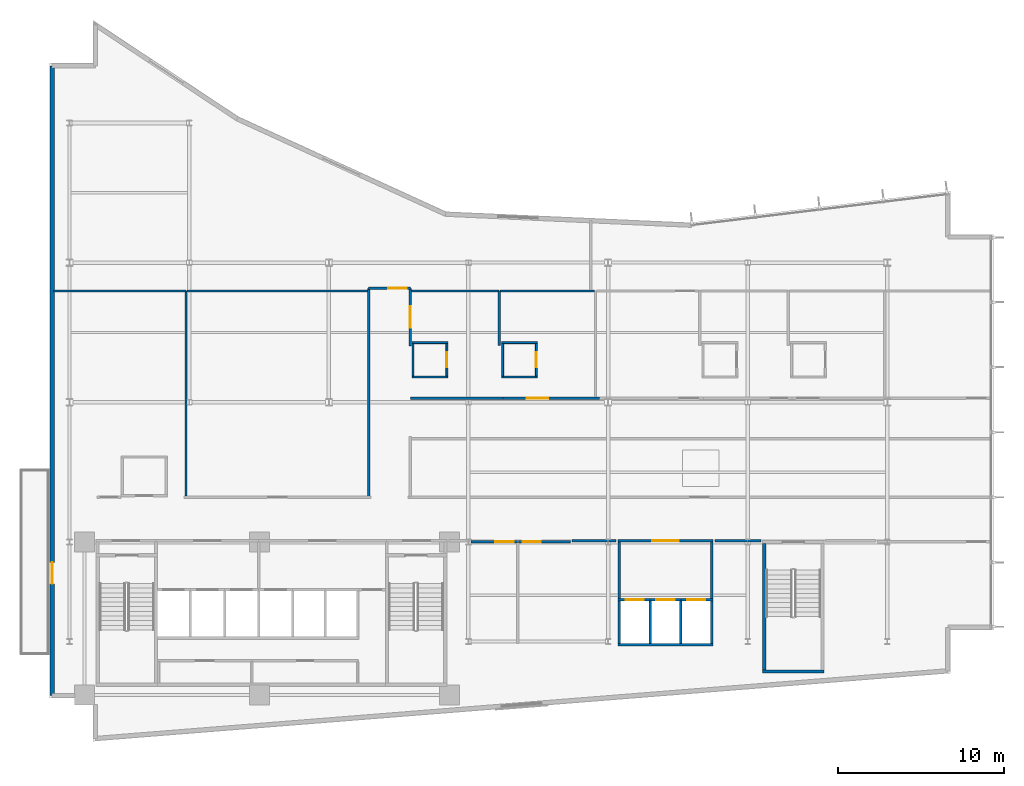
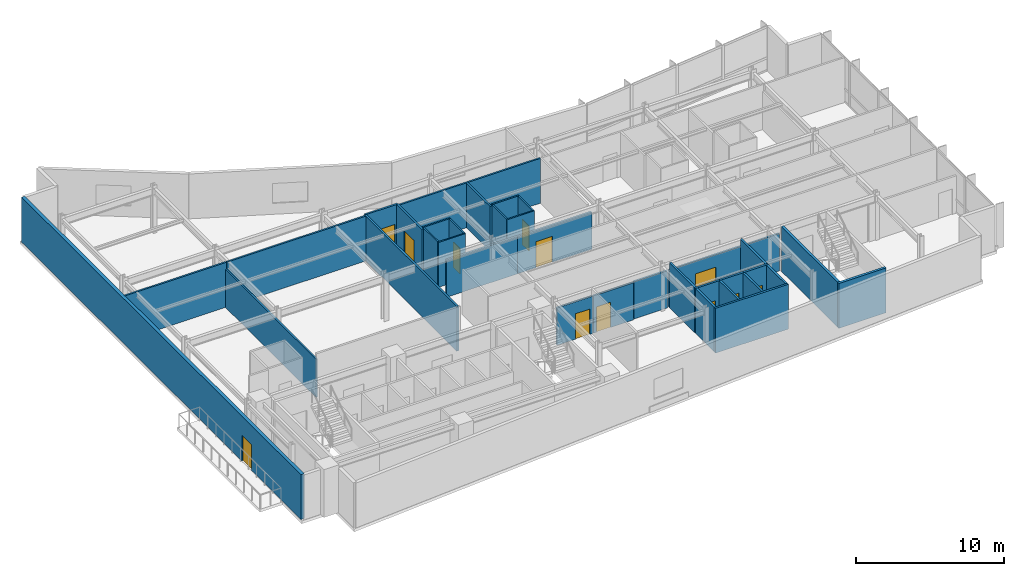
# One storey, part 11 of 18: 37 walls, 12 doors, 12 openings.
"""IFC4 building model written with IfcOpenShell, lengths in metres."""

from ifc_helpers import new_model, si_unit, direction, frame, frame_2d, origin, place, context, subcontext, project, spatial, rectangle, extrude, material, layer, layer_set, type_object, element, fill, save


model = new_model("IFC4")

# Units and contexts
model_context = context("Model", 3, precision=1e-05, world=origin(), true_north=direction((0.0, 1.0)))
body_context = subcontext(model_context, "Body", "Model", "MODEL_VIEW")
ifc_project = project(units=[si_unit("LENGTHUNIT", "METRE"), si_unit("AREAUNIT", "SQUARE_METRE"), si_unit("VOLUMEUNIT", "CUBIC_METRE"), si_unit("PLANEANGLEUNIT", "RADIAN"), si_unit("MASSUNIT", "GRAM", prefix="KILO")], contexts=[model_context])

# Site, building, storey
site_placement = place(None, origin())
site = spatial("IfcSite", under=ifc_project, at=site_placement, CompositionType="ELEMENT")
building_placement = place(site_placement, origin())
building = spatial("IfcBuilding", under=site, at=building_placement, Name="Varnakote Quay Hospital", CompositionType="ELEMENT")
storey_placement = place(building_placement, frame((0.0, 0.0, 138.89990234375)))
storey = spatial("IfcBuildingStorey", under=building, at=storey_placement, Name="L34", CompositionType="ELEMENT", Elevation=138.89990234375)

# Walls
ifc_material_1 = material(Name="Fire-rated acoustic gypsum stud wall", Category="gypsum")
ifc_layer_1 = layer(ifc_material_1, 0.159912109375)
ifc_layer_set_1 = layer_set([ifc_layer_1], Name="Fire-rated acoustic gypsum stud wall")
wall_type_1 = type_object("IfcWallType", Name="WL-COMP-160", PredefinedType="PARTITIONING", material=ifc_layer_set_1)
for number, where, z_axis, x_axis, name in (
    (1, (34.27001953125, 8.610107421875, 0.0), (0.0, 0.0, 1.0), (0.0, 1.0, 0.0), "L34 Mid-Rise Lift Lobby West Wall"),
    (2, (39.830078125, 8.610107421875, 0.0), (0.0, 0.0, 1.0), (0.0, 1.0, 0.0), "L34 Mid-Rise Lift Lobby East Wall"),
):
    element("IfcWall", number, at=place(storey_placement, frame(where, z_axis=z_axis, x_axis=x_axis)), inside=storey, type_object=wall_type_1, Name=name, PredefinedType="PARTITIONING", context=body_context, shape_type="SweptSolid", body=[
        extrude(rectangle(XDim=3.389892578125, YDim=0.159912109375, at=frame_2d((1.69482421875, 0.0))), origin(), (0.0, 0.0, 1.0), 3.710205078125),
    ])

# Wall, opening, door
wall_1_placement = place(storey_placement, frame((34.18994140625, 12.080078125, 0.0), z_axis=(0.0, 0.0, 1.0), x_axis=(1.0, 0.0, 0.0)))
wall_1 = element("IfcWall", 3, at=wall_1_placement, inside=storey, type_object=wall_type_1, Name="L34 Mid-Rise Lift Lobby North Wall", PredefinedType="PARTITIONING", context=body_context, shape_type="SweptSolid", body=[
    extrude(rectangle(XDim=5.719970703125, YDim=0.159912109375, at=frame_2d((2.85986328125, 0.0))), origin(), (0.0, 0.0, 1.0), 3.0830078125),
])
opening_1_placement = place(wall_1_placement, frame((2.06005859375, 0.0, 0.0)))
opening_1 = element("IfcOpeningElement", 4, at=opening_1_placement, cuts=wall_1, Name="Opening D-PML-L34", PredefinedType="OPENING", context=body_context, shape_type="SweptSolid", body=[
    extrude(rectangle(XDim=1.60009765625, YDim=2.050048828125, at=frame_2d((0.800048828125, 1.02490234375))), frame((0.0, 0.08984375, 0.0), z_axis=(0.0, -1.0, 0.0), x_axis=(1.0, 0.0, 0.0)), (0.0, 0.0, 1.0), 0.179931640625),
])
ifc_material_2 = material(Name="Fire-rated double smoke lobby door")
door_type_1 = type_object("IfcDoorType", Name="DR-LOBBY-FD60S-1600x2150", OperationType="NOTDEFINED", PredefinedType="DOOR", material=ifc_material_2)
door_1_placement = place(opening_1_placement, origin())
door_1 = element("IfcDoor", 5, at=door_1_placement, inside=storey, type_object=door_type_1, Name="L34 Mid-Rise Passenger Concourse Vestibule Door", OperationType="DOUBLE_DOOR_SINGLE_SWING", OverallHeight=2.050048828125, OverallWidth=1.60009765625, PredefinedType="DOOR", context=body_context, shape_type="SweptSolid", body=[
    extrude(rectangle(XDim=1.60009765625, YDim=2.050048828125, at=frame_2d((0.800048828125, 1.02490234375))), frame((0.0, 0.02490234375, 0.0), z_axis=(0.0, -1.0, 0.0), x_axis=(1.0, 0.0, 0.0)), (0.0, 0.0, 1.0), 0.050048828125),
])
fill(opening_1, door_1)

# Walls
wall_2_placement = place(storey_placement, frame((31.439208984375, 12.080078125, 0.0), z_axis=(0.0, 0.0, 1.0), x_axis=(1.0, 0.0, 0.0)))
element("IfcWall", 6, at=wall_2_placement, inside=storey, type_object=wall_type_1, Name="L34 Corridor South Gap Wall", PredefinedType="PARTITIONING", context=body_context, shape_type="SweptSolid", body=[
    extrude(rectangle(XDim=2.630859375, YDim=0.159912109375, at=frame_2d((1.3154296875, 0.0))), origin(), (0.0, 0.0, 1.0), 3.0830078125),
])
wall_3_placement = place(storey_placement, frame((40.030029296875, 12.080078125, 0.0), z_axis=(0.0, 0.0, 1.0), x_axis=(1.0, 0.0, 0.0)))
element("IfcWall", 7, at=wall_3_placement, inside=storey, type_object=wall_type_1, Name="L34 Corridor South Gap Wall", PredefinedType="PARTITIONING", context=body_context, shape_type="SweptSolid", body=[
    extrude(rectangle(XDim=2.78076171875, YDim=0.159912109375, at=frame_2d((1.390380859375, 0.0))), origin(), (0.0, 0.0, 1.0), 3.0830078125),
])
ifc_material_3 = material(Name="Moisture-resistant bathroom partition", Category="gypsum")
ifc_layer_2 = layer(ifc_material_3, 0.114990234375)
ifc_layer_set_2 = layer_set([ifc_layer_2], Name="Moisture-resistant bathroom partition")
wall_type_2 = type_object("IfcWallType", Name="WL-ENS-115", PredefinedType="PARTITIONING", material=ifc_layer_set_2)
for number, where, z_axis, x_axis, name in (
    (8, (21.804931640625, 21.922607421875, 0.0), (0.0, 0.0, 1.0), (1.0, 0.0, 0.0), "L34 Inpatient En-Suite Bathroom 01 S Wall"),
    (9, (21.804931640625, 23.987548828125, 0.0), (0.0, 0.0, 1.0), (1.0, 0.0, 0.0), "L34 Inpatient En-Suite Bathroom 01 N Wall"),
):
    element("IfcWall", number, at=place(storey_placement, frame(where, z_axis=z_axis, x_axis=x_axis)), inside=storey, type_object=wall_type_2, Name=name, PredefinedType="PARTITIONING", context=body_context, shape_type="SweptSolid", body=[
        extrude(rectangle(XDim=2.150146484375, YDim=0.114990234375, at=frame_2d((1.0751953125, 0.0))), origin(), (0.0, 0.0, 1.0), 3.710205078125),
    ])
wall_4_placement = place(storey_placement, frame((21.862548828125, 21.97998046875, 0.0), z_axis=(0.0, 0.0, 1.0), x_axis=(0.0, 1.0, 0.0)))
element("IfcWall", 10, at=wall_4_placement, inside=storey, type_object=wall_type_2, Name="L34 Inpatient En-Suite Bathroom 01 W Wall", PredefinedType="PARTITIONING", context=body_context, shape_type="SweptSolid", body=[
    extrude(rectangle(XDim=1.949951171875, YDim=0.114990234375, at=frame_2d((0.97509765625, 0.0))), origin(), (0.0, 0.0, 1.0), 3.710205078125),
])

# Wall, opening, door
wall_5_placement = place(storey_placement, frame((23.8974609375, 21.97998046875, 0.0), z_axis=(0.0, 0.0, 1.0), x_axis=(0.0, 1.0, 0.0)))
wall_5 = element("IfcWall", 11, at=wall_5_placement, inside=storey, type_object=wall_type_2, Name="L34 Inpatient En-Suite Bathroom 01 E Wall", PredefinedType="PARTITIONING", context=body_context, shape_type="SweptSolid", body=[
    extrude(rectangle(XDim=1.949951171875, YDim=0.114990234375, at=frame_2d((0.97509765625, 0.0))), origin(), (0.0, 0.0, 1.0), 3.710205078125),
])
opening_2_placement = place(wall_5_placement, frame((0.514892578125, 0.0, 0.0)))
opening_2 = element("IfcOpeningElement", 12, at=opening_2_placement, cuts=wall_5, Name="Opening D-L34-ENS01", PredefinedType="OPENING", context=body_context, shape_type="SweptSolid", body=[
    extrude(rectangle(XDim=0.919921875, YDim=2.10009765625, at=frame_2d((0.4599609375, 1.050048828125))), frame((0.0, 0.0673828125, 0.0), z_axis=(0.0, -1.0, 0.0), x_axis=(1.0, 0.0, 0.0)), (0.0, 0.0, 1.0), 0.135009765625),
])
ifc_material_4 = material(Name="Moisture-sealed en-suite bathroom door")
door_type_2 = type_object("IfcDoorType", Name="DR-ENS-920x2100", OperationType="NOTDEFINED", PredefinedType="DOOR", material=ifc_material_4)
door_2_placement = place(opening_2_placement, origin())
door_2 = element("IfcDoor", 13, at=door_2_placement, inside=storey, type_object=door_type_2, Name="L34 Inpatient En-Suite Bathroom 01 Door", OperationType="SINGLE_SWING_RIGHT", OverallHeight=2.10009765625, OverallWidth=0.919921875, PredefinedType="DOOR", context=body_context, shape_type="SweptSolid", body=[
    extrude(rectangle(XDim=0.919921875, YDim=2.10009765625, at=frame_2d((0.4599609375, 1.050048828125))), frame((0.0, 0.02490234375, 0.0), z_axis=(0.0, -1.0, 0.0), x_axis=(1.0, 0.0, 0.0)), (0.0, 0.0, 1.0), 0.050048828125),
])
fill(opening_2, door_2)

# Walls
for number, where, z_axis, x_axis, name in (
    (14, (27.195068359375, 21.922607421875, 0.0), (0.0, 0.0, 1.0), (1.0, 0.0, 0.0), "L34 Inpatient En-Suite Bathroom 02 S Wall"),
    (15, (27.195068359375, 23.987548828125, 0.0), (0.0, 0.0, 1.0), (1.0, 0.0, 0.0), "L34 Inpatient En-Suite Bathroom 02 N Wall"),
):
    element("IfcWall", number, at=place(storey_placement, frame(where, z_axis=z_axis, x_axis=x_axis)), inside=storey, type_object=wall_type_2, Name=name, PredefinedType="PARTITIONING", context=body_context, shape_type="SweptSolid", body=[
        extrude(rectangle(XDim=2.14990234375, YDim=0.114990234375, at=frame_2d((1.074951171875, 0.0))), origin(), (0.0, 0.0, 1.0), 3.710205078125),
    ])
wall_6_placement = place(storey_placement, frame((27.25244140625, 21.97998046875, 0.0), z_axis=(0.0, 0.0, 1.0), x_axis=(0.0, 1.0, 0.0)))
element("IfcWall", 16, at=wall_6_placement, inside=storey, type_object=wall_type_2, Name="L34 Inpatient En-Suite Bathroom 02 W Wall", PredefinedType="PARTITIONING", context=body_context, shape_type="SweptSolid", body=[
    extrude(rectangle(XDim=1.949951171875, YDim=0.114990234375, at=frame_2d((0.97509765625, 0.0))), origin(), (0.0, 0.0, 1.0), 3.710205078125),
])

# Wall, opening, door
wall_7_placement = place(storey_placement, frame((29.28759765625, 21.97998046875, 0.0), z_axis=(0.0, 0.0, 1.0), x_axis=(0.0, 1.0, 0.0)))
wall_7 = element("IfcWall", 17, at=wall_7_placement, inside=storey, type_object=wall_type_2, Name="L34 Inpatient En-Suite Bathroom 02 E Wall", PredefinedType="PARTITIONING", context=body_context, shape_type="SweptSolid", body=[
    extrude(rectangle(XDim=1.949951171875, YDim=0.114990234375, at=frame_2d((0.97509765625, 0.0))), origin(), (0.0, 0.0, 1.0), 3.710205078125),
])
opening_3_placement = place(wall_7_placement, frame((0.514892578125, 0.0, 0.0)))
opening_3 = element("IfcOpeningElement", 18, at=opening_3_placement, cuts=wall_7, Name="Opening D-L34-ENS02", PredefinedType="OPENING", context=body_context, shape_type="SweptSolid", body=[
    extrude(rectangle(XDim=0.919921875, YDim=2.10009765625, at=frame_2d((0.4599609375, 1.050048828125))), frame((0.0, 0.0673828125, 0.0), z_axis=(0.0, -1.0, 0.0), x_axis=(1.0, 0.0, 0.0)), (0.0, 0.0, 1.0), 0.135009765625),
])
door_3_placement = place(opening_3_placement, origin())
door_3 = element("IfcDoor", 19, at=door_3_placement, inside=storey, type_object=door_type_2, Name="L34 Inpatient En-Suite Bathroom 02 Door", OperationType="SINGLE_SWING_LEFT", OverallHeight=2.10009765625, OverallWidth=0.919921875, PredefinedType="DOOR", context=body_context, shape_type="SweptSolid", body=[
    extrude(rectangle(XDim=0.919921875, YDim=2.10009765625, at=frame_2d((0.4599609375, 1.050048828125))), frame((0.0, 0.02490234375, 0.0), z_axis=(0.0, -1.0, 0.0), x_axis=(1.0, 0.0, 0.0)), (0.0, 0.0, 1.0), 0.050048828125),
])
fill(opening_3, door_3)

ifc_material_5 = material(Name="Precast concrete N50 (f'c 50 MPa)", Category="concrete")
ifc_layer_3 = layer(ifc_material_5, 0.260009765625)
ifc_layer_set_3 = layer_set([ifc_layer_3], Name="Precast concrete N50 (f'c 50 MPa)")
wall_type_3 = type_object("IfcWallType", Name="WL-EXT-BRICK-260", PredefinedType="STANDARD", material=ifc_layer_set_3)
wall_8_placement = place(storey_placement, frame((0.159912109375, 40.639892578125, 0.0), z_axis=(0.0, 0.0, 1.0), x_axis=(0.0, -1.0, 0.0)))
wall_8 = element("IfcWall", 20, at=wall_8_placement, inside=storey, type_object=wall_type_3, Name="L34 Healing Terrace Portal Brick Wall", PredefinedType="STANDARD", context=body_context, shape_type="SweptSolid", body=[
    extrude(rectangle(XDim=37.8798828125, YDim=0.260009765625, at=frame_2d((18.93994140625, 0.0))), origin(), (0.0, 0.0, 1.0), 3.710205078125),
])
opening_4_placement = place(wall_8_placement, frame((29.864501953125, 0.0, 0.0)))
opening_4 = element("IfcOpeningElement", 21, at=opening_4_placement, cuts=wall_8, Name="Opening DT-L34", PredefinedType="OPENING", context=body_context, shape_type="SweptSolid", body=[
    extrude(rectangle(XDim=1.300048828125, YDim=2.14990234375, at=frame_2d((0.64990234375, 1.074951171875))), frame((0.0, 0.139892578125, 0.0), z_axis=(0.0, -1.0, 0.0), x_axis=(1.0, 0.0, 0.0)), (0.0, 0.0, 1.0), 0.280029296875),
])
ifc_material_6 = material(Name="Anodised aluminium glazed terrace door", Category="aluminium")
door_type_3 = type_object("IfcDoorType", Name="DR-EXT-TERR-1300x2150", OperationType="NOTDEFINED", PredefinedType="DOOR", material=ifc_material_6)
door_4_placement = place(opening_4_placement, origin())
door_4 = element("IfcDoor", 22, at=door_4_placement, inside=storey, type_object=door_type_3, Name="L34 Waterfront Healing Terrace Door", OperationType="SINGLE_SWING_LEFT", OverallHeight=2.14990234375, OverallWidth=1.300048828125, PredefinedType="DOOR", context=body_context, shape_type="SweptSolid", body=[
    extrude(rectangle(XDim=1.300048828125, YDim=2.14990234375, at=frame_2d((0.64990234375, 1.074951171875))), frame((0.0, 0.02490234375, 0.0), z_axis=(0.0, -1.0, 0.0), x_axis=(1.0, 0.0, 0.0)), (0.0, 0.0, 1.0), 0.050048828125),
])
fill(opening_4, door_4)

# Walls
ifc_material_7 = material(Name="Concrete N50 (f'c 50 MPa)", Category="concrete")
ifc_layer_4 = layer(ifc_material_7, 0.14990234375)
ifc_layer_set_4 = layer_set([ifc_layer_4], Name="Concrete N50 (f'c 50 MPa)")
wall_type_4 = type_object("IfcWallType", Name="WL-SHAFT-N50-150", PredefinedType="SHEAR", material=ifc_layer_set_4)
for number, where, z_axis, x_axis, name in (
    (23, (36.125, 5.89990234375, 0.0), (0.0, 0.0, 1.0), (0.0, 1.0, 0.0), "L34 LF-PM1 Hoistway Divider Wall"),
    (24, (37.97509765625, 5.89990234375, 0.0), (0.0, 0.0, 1.0), (0.0, 1.0, 0.0), "L34 LF-PM2 Hoistway Divider Wall"),
):
    element("IfcWall", number, at=place(storey_placement, frame(where, z_axis=z_axis, x_axis=x_axis)), inside=storey, type_object=wall_type_4, Name=name, PredefinedType="SHEAR", context=body_context, shape_type="SweptSolid", body=[
        extrude(rectangle(XDim=2.550048828125, YDim=0.14990234375, at=frame_2d((1.27490234375, 0.0))), origin(), (0.0, 0.0, 1.0), 3.710205078125),
    ])
ifc_material_8 = material(Name="Concrete N50 (f'c 50 MPa)", Category="concrete")
ifc_layer_5 = layer(ifc_material_8, 0.159912109375)
ifc_layer_set_5 = layer_set([ifc_layer_5], Name="Concrete N50 (f'c 50 MPa)")
wall_type_5 = type_object("IfcWallType", Name="WL-SHAFT-N50-160", PredefinedType="SHEAR", material=ifc_layer_set_5)
wall_9_placement = place(storey_placement, frame((34.18994140625, 5.820068359375, 0.0), z_axis=(0.0, 0.0, 1.0), x_axis=(1.0, 0.0, 0.0)))
element("IfcWall", 25, at=wall_9_placement, inside=storey, type_object=wall_type_5, Name="L34 MID Lift Bank Back Shear Wall", PredefinedType="SHEAR", context=body_context, shape_type="SweptSolid", body=[
    extrude(rectangle(XDim=5.719970703125, YDim=0.159912109375, at=frame_2d((2.85986328125, 0.0))), origin(), (0.0, 0.0, 1.0), 3.710205078125),
])
for number, where, z_axis, x_axis, name in (
    (26, (34.27001953125, 5.89990234375, 0.0), (0.0, 0.0, 1.0), (0.0, 1.0, 0.0), "L34 MID Lift Bank West Shear Wall"),
    (27, (39.830078125, 5.89990234375, 0.0), (0.0, 0.0, 1.0), (0.0, 1.0, 0.0), "L34 MID Lift Bank East Shear Wall"),
):
    element("IfcWall", number, at=place(storey_placement, frame(where, z_axis=z_axis, x_axis=x_axis)), inside=storey, type_object=wall_type_5, Name=name, PredefinedType="SHEAR", context=body_context, shape_type="SweptSolid", body=[
        extrude(rectangle(XDim=2.550048828125, YDim=0.159912109375, at=frame_2d((1.27490234375, 0.0))), origin(), (0.0, 0.0, 1.0), 3.710205078125),
    ])

# Wall, opening, door
wall_10_placement = place(storey_placement, frame((34.18994140625, 8.530029296875, 0.0), z_axis=(0.0, 0.0, 1.0), x_axis=(1.0, 0.0, 0.0)))
wall_10 = element("IfcWall", 28, at=wall_10_placement, inside=storey, type_object=wall_type_5, Name="L34 LF-PM1 Hoistway Front Wall", PredefinedType="SHEAR", context=body_context, shape_type="SweptSolid", body=[
    extrude(rectangle(XDim=1.93505859375, YDim=0.159912109375, at=frame_2d((0.967529296875, 0.0))), origin(), (0.0, 0.0, 1.0), 3.710205078125),
])
opening_5_placement = place(wall_10_placement, frame((0.4599609375, 0.0, 0.0)))
opening_5 = element("IfcOpeningElement", 29, at=opening_5_placement, cuts=wall_10, Name="Opening LD-PM1-L34", PredefinedType="OPENING", context=body_context, shape_type="SweptSolid", body=[
    extrude(rectangle(XDim=1.10009765625, YDim=2.14990234375, at=frame_2d((0.550048828125, 1.074951171875))), frame((0.0, 0.08984375, 0.0), z_axis=(0.0, -1.0, 0.0), x_axis=(1.0, 0.0, 0.0)), (0.0, 0.0, 1.0), 0.179931640625),
])
ifc_material_9 = material(Name="Brushed bronze lift landing sliding door")
door_type_4 = type_object("IfcDoorType", Name="DR-LIFT-LD-1100x2150", OperationType="NOTDEFINED", PredefinedType="DOOR", material=ifc_material_9)
door_5_placement = place(opening_5_placement, origin())
door_5 = element("IfcDoor", 30, at=door_5_placement, inside=storey, type_object=door_type_4, Name="L34 LF-PM1 Lift Landing Sliding Door", OperationType="SLIDING_TO_LEFT", OverallHeight=2.14990234375, OverallWidth=1.10009765625, PredefinedType="DOOR", context=body_context, shape_type="SweptSolid", body=[
    extrude(rectangle(XDim=1.10009765625, YDim=2.14990234375, at=frame_2d((0.550048828125, 1.074951171875))), frame((0.0, 0.02490234375, 0.0), z_axis=(0.0, -1.0, 0.0), x_axis=(1.0, 0.0, 0.0)), (0.0, 0.0, 1.0), 0.050048828125),
])
fill(opening_5, door_5)

wall_11_placement = place(storey_placement, frame((36.125, 8.530029296875, 0.0), z_axis=(0.0, 0.0, 1.0), x_axis=(1.0, 0.0, 0.0)))
wall_11 = element("IfcWall", 31, at=wall_11_placement, inside=storey, type_object=wall_type_5, Name="L34 LF-PM2 Hoistway Front Wall", PredefinedType="SHEAR", context=body_context, shape_type="SweptSolid", body=[
    extrude(rectangle(XDim=1.85009765625, YDim=0.159912109375, at=frame_2d((0.925048828125, 0.0))), origin(), (0.0, 0.0, 1.0), 3.710205078125),
])
opening_6_placement = place(wall_11_placement, frame((0.375, 0.0, 0.0)))
opening_6 = element("IfcOpeningElement", 32, at=opening_6_placement, cuts=wall_11, Name="Opening LD-PM2-L34", PredefinedType="OPENING", context=body_context, shape_type="SweptSolid", body=[
    extrude(rectangle(XDim=1.10009765625, YDim=2.14990234375, at=frame_2d((0.550048828125, 1.074951171875))), frame((0.0, 0.08984375, 0.0), z_axis=(0.0, -1.0, 0.0), x_axis=(1.0, 0.0, 0.0)), (0.0, 0.0, 1.0), 0.179931640625),
])
door_6_placement = place(opening_6_placement, origin())
door_6 = element("IfcDoor", 33, at=door_6_placement, inside=storey, type_object=door_type_4, Name="L34 LF-PM2 Lift Landing Sliding Door", OperationType="SLIDING_TO_LEFT", OverallHeight=2.14990234375, OverallWidth=1.10009765625, PredefinedType="DOOR", context=body_context, shape_type="SweptSolid", body=[
    extrude(rectangle(XDim=1.10009765625, YDim=2.14990234375, at=frame_2d((0.550048828125, 1.074951171875))), frame((0.0, 0.02490234375, 0.0), z_axis=(0.0, -1.0, 0.0), x_axis=(1.0, 0.0, 0.0)), (0.0, 0.0, 1.0), 0.050048828125),
])
fill(opening_6, door_6)

wall_12_placement = place(storey_placement, frame((37.97509765625, 8.530029296875, 0.0), z_axis=(0.0, 0.0, 1.0), x_axis=(1.0, 0.0, 0.0)))
wall_12 = element("IfcWall", 34, at=wall_12_placement, inside=storey, type_object=wall_type_5, Name="L34 LF-PM3 Hoistway Front Wall", PredefinedType="SHEAR", context=body_context, shape_type="SweptSolid", body=[
    extrude(rectangle(XDim=1.934814453125, YDim=0.159912109375, at=frame_2d((0.96728515625, 0.0))), origin(), (0.0, 0.0, 1.0), 3.710205078125),
])
opening_7_placement = place(wall_12_placement, frame((0.375, 0.0, 0.0)))
opening_7 = element("IfcOpeningElement", 35, at=opening_7_placement, cuts=wall_12, Name="Opening LD-PM3-L34", PredefinedType="OPENING", context=body_context, shape_type="SweptSolid", body=[
    extrude(rectangle(XDim=1.10009765625, YDim=2.14990234375, at=frame_2d((0.550048828125, 1.074951171875))), frame((0.0, 0.08984375, 0.0), z_axis=(0.0, -1.0, 0.0), x_axis=(1.0, 0.0, 0.0)), (0.0, 0.0, 1.0), 0.179931640625),
])
door_7_placement = place(opening_7_placement, origin())
door_7 = element("IfcDoor", 36, at=door_7_placement, inside=storey, type_object=door_type_4, Name="L34 LF-PM3 Lift Landing Sliding Door", OperationType="SLIDING_TO_LEFT", OverallHeight=2.14990234375, OverallWidth=1.10009765625, PredefinedType="DOOR", context=body_context, shape_type="SweptSolid", body=[
    extrude(rectangle(XDim=1.10009765625, YDim=2.14990234375, at=frame_2d((0.550048828125, 1.074951171875))), frame((0.0, 0.02490234375, 0.0), z_axis=(0.0, -1.0, 0.0), x_axis=(1.0, 0.0, 0.0)), (0.0, 0.0, 1.0), 0.050048828125),
])
fill(opening_7, door_7)

# Walls
ifc_material_10 = material(Name="Concrete N50 (f'c 50 MPa)", Category="concrete")
ifc_layer_6 = layer(ifc_material_10, 0.199951171875)
ifc_layer_set_6 = layer_set([ifc_layer_6], Name="Concrete N50 (f'c 50 MPa)")
wall_type_6 = type_object("IfcWallType", Name="WL-SHAFT-N50-200", PredefinedType="SHEAR", material=ifc_layer_set_6)
wall_13_placement = place(storey_placement, frame((42.89990234375, 4.199951171875, 0.0), z_axis=(0.0, 0.0, 1.0), x_axis=(1.0, 0.0, 0.0)))
element("IfcWall", 37, at=wall_13_placement, inside=storey, type_object=wall_type_6, Name="L34 Stair ST3 South Shaft Wall", PredefinedType="SHEAR", context=body_context, shape_type="SweptSolid", body=[
    extrude(rectangle(XDim=3.7001953125, YDim=0.199951171875, at=frame_2d((1.85009765625, 0.0))), origin(), (0.0, 0.0, 1.0), 3.710205078125),
])
wall_14_placement = place(storey_placement, frame((43.0, 4.300048828125, 0.0), z_axis=(0.0, 0.0, 1.0), x_axis=(0.0, 1.0, 0.0)))
element("IfcWall", 38, at=wall_14_placement, inside=storey, type_object=wall_type_6, Name="L34 Stair ST3 West Shaft Wall", PredefinedType="SHEAR", context=body_context, shape_type="SweptSolid", body=[
    extrude(rectangle(XDim=7.599853515625, YDim=0.199951171875, at=frame_2d((3.7998046875, 0.0))), origin(), (0.0, 0.0, 1.0), 3.710205078125),
])
ifc_material_11 = material(Name="Smoke-proof clinical partition", Category="gypsum")
ifc_layer_7 = layer(ifc_material_11, 0.135009765625)
ifc_layer_set_7 = layer_set([ifc_layer_7], Name="Smoke-proof clinical partition")
wall_type_7 = type_object("IfcWallType", Name="WL-SMOKE-135", PredefinedType="PARTITIONING", material=ifc_layer_set_7)
wall_15_placement = place(storey_placement, frame((8.199951171875, 14.760009765625, 0.0), z_axis=(0.0, 0.0, 1.0), x_axis=(0.0, 1.0, 0.0)))
element("IfcWall", 39, at=wall_15_placement, inside=storey, type_object=wall_type_7, Name="L34 Clinical Interior Partition", PredefinedType="PARTITIONING", context=body_context, shape_type="SweptSolid", body=[
    extrude(rectangle(XDim=12.340087890625, YDim=0.135009765625, at=frame_2d((6.169921875, 0.0))), origin(), (0.0, 0.0, 1.0), 3.152099609375),
])
wall_16_placement = place(storey_placement, frame((8.199951171875, 27.10009765625, 0.0), z_axis=(0.0, 0.0, 1.0), x_axis=(-1.0, 0.0, 0.0)))
element("IfcWall", 40, at=wall_16_placement, inside=storey, type_object=wall_type_7, Name="L34 Clinical Interior Partition", PredefinedType="PARTITIONING", context=body_context, shape_type="SweptSolid", body=[
    extrude(rectangle(XDim=7.9599609375, YDim=0.135009765625, at=frame_2d((3.97998046875, 0.0))), origin(), (0.0, 0.0, 1.0), 3.710205078125),
])
wall_17_placement = place(storey_placement, frame((19.1201171875, 27.10009765625, 0.0), z_axis=(0.0, 0.0, 1.0), x_axis=(-1.0, 0.0, 0.0)))
element("IfcWall", 41, at=wall_17_placement, inside=storey, type_object=wall_type_7, Name="L34 Clinical Interior Partition", PredefinedType="PARTITIONING", context=body_context, shape_type="SweptSolid", body=[
    extrude(rectangle(XDim=10.862548828125, YDim=0.135009765625, at=frame_2d((5.43115234375, 0.0))), origin(), (0.0, 0.0, 1.0), 3.710205078125),
])
wall_18_placement = place(storey_placement, frame((27.050048828125, 23.802490234375, 0.0), z_axis=(0.0, 0.0, 1.0), x_axis=(0.0, 1.0, 0.0)))
element("IfcWall", 42, at=wall_18_placement, inside=storey, type_object=wall_type_7, Name="L34 Clinical Interior Partition", PredefinedType="PARTITIONING", context=body_context, shape_type="SweptSolid", body=[
    extrude(rectangle(XDim=3.297607421875, YDim=0.135009765625, at=frame_2d((1.64892578125, 0.0))), origin(), (0.0, 0.0, 1.0), 3.710205078125),
])
wall_19_placement = place(storey_placement, frame((27.050048828125, 27.10009765625, 0.0), z_axis=(0.0, 0.0, 1.0), x_axis=(-1.0, 0.0, 0.0)))
element("IfcWall", 43, at=wall_19_placement, inside=storey, type_object=wall_type_7, Name="L34 Clinical Interior Partition", PredefinedType="PARTITIONING", context=body_context, shape_type="SweptSolid", body=[
    extrude(rectangle(XDim=5.28515625, YDim=0.135009765625, at=frame_2d((2.642578125, 0.0))), origin(), (0.0, 0.0, 1.0), 3.710205078125),
])
wall_20_placement = place(storey_placement, frame((32.79248046875, 27.10009765625, 0.0), z_axis=(0.0, 0.0, 1.0), x_axis=(-1.0, 0.0, 0.0)))
element("IfcWall", 44, at=wall_20_placement, inside=storey, type_object=wall_type_7, Name="L34 Clinical Interior Partition", PredefinedType="PARTITIONING", context=body_context, shape_type="SweptSolid", body=[
    extrude(rectangle(XDim=5.68505859375, YDim=0.135009765625, at=frame_2d((2.842529296875, 0.0))), origin(), (0.0, 0.0, 1.0), 3.710205078125),
])

# Wall, opening, door
ifc_material_12 = material(Name="Fire-rated clinical gypsum partition", Category="gypsum")
ifc_layer_8 = layer(ifc_material_12, 0.14990234375)
ifc_layer_set_8 = layer_set([ifc_layer_8], Name="Fire-rated clinical gypsum partition")
wall_type_8 = type_object("IfcWallType", Name="WL-WARD-150", PredefinedType="PARTITIONING", material=ifc_layer_set_8)
wall_21_placement = place(storey_placement, frame((28.159912109375, 12.0, 0.0), z_axis=(0.0, 0.0, 1.0), x_axis=(-1.0, 0.0, 0.0)))
wall_21 = element("IfcWall", 45, at=wall_21_placement, inside=storey, type_object=wall_type_8, Name="L34 Clinical Interior Partition", PredefinedType="PARTITIONING", context=body_context, shape_type="SweptSolid", body=[
    extrude(rectangle(XDim=2.805419921875, YDim=0.14990234375, at=frame_2d((1.40283203125, 0.0))), origin(), (0.0, 0.0, 1.0), 3.0830078125),
])
opening_8_placement = place(wall_21_placement, frame((0.232666015625, 0.0, 0.0)))
opening_8 = element("IfcOpeningElement", 46, at=opening_8_placement, cuts=wall_21, Name="Opening D-L34-RL1", PredefinedType="OPENING", context=body_context, shape_type="SweptSolid", body=[
    extrude(rectangle(XDim=1.10009765625, YDim=2.10009765625, at=frame_2d((0.550048828125, 1.050048828125))), frame((0.0, 0.0849609375, 0.0), z_axis=(0.0, -1.0, 0.0), x_axis=(1.0, 0.0, 0.0)), (0.0, 0.0, 1.0), 0.169921875),
])
ifc_material_13 = material(Name="Acoustic timber clinical consult door", Category="wood")
door_type_5 = type_object("IfcDoorType", Name="DR-CLIN-FD30S-1100x2100", OperationType="NOTDEFINED", PredefinedType="DOOR", material=ifc_material_13)
door_8_placement = place(opening_8_placement, origin())
door_8 = element("IfcDoor", 47, at=door_8_placement, inside=storey, type_object=door_type_5, Name="L34 Day Infusion Treatment Suite Door", OperationType="SINGLE_SWING_RIGHT", OverallHeight=2.10009765625, OverallWidth=1.10009765625, PredefinedType="DOOR", context=body_context, shape_type="SweptSolid", body=[
    extrude(rectangle(XDim=1.10009765625, YDim=2.10009765625, at=frame_2d((0.550048828125, 1.050048828125))), frame((0.0, 0.02490234375, 0.0), z_axis=(0.0, -1.0, 0.0), x_axis=(1.0, 0.0, 0.0)), (0.0, 0.0, 1.0), 0.050048828125),
])
fill(opening_8, door_8)

wall_22_placement = place(storey_placement, frame((31.35009765625, 12.0, 0.0), z_axis=(0.0, 0.0, 1.0), x_axis=(-1.0, 0.0, 0.0)))
wall_22 = element("IfcWall", 48, at=wall_22_placement, inside=storey, type_object=wall_type_8, Name="L34 Clinical Interior Partition", PredefinedType="PARTITIONING", context=body_context, shape_type="SweptSolid", body=[
    extrude(rectangle(XDim=3.132568359375, YDim=0.14990234375, at=frame_2d((1.56640625, 0.0))), origin(), (0.0, 0.0, 1.0), 3.0830078125),
])
opening_9_placement = place(wall_22_placement, frame((1.791748046875, 0.0, 0.0)))
opening_9 = element("IfcOpeningElement", 49, at=opening_9_placement, cuts=wall_22, Name="Opening D-L34-RL2", PredefinedType="OPENING", context=body_context, shape_type="SweptSolid", body=[
    extrude(rectangle(XDim=1.10009765625, YDim=2.10009765625, at=frame_2d((0.550048828125, 1.050048828125))), frame((0.0, 0.0849609375, 0.0), z_axis=(0.0, -1.0, 0.0), x_axis=(1.0, 0.0, 0.0)), (0.0, 0.0, 1.0), 0.169921875),
])
door_9_placement = place(opening_9_placement, origin())
door_9 = element("IfcDoor", 50, at=door_9_placement, inside=storey, type_object=door_type_5, Name="L34 Telemedicine Consult Office Door", OperationType="SINGLE_SWING_LEFT", OverallHeight=2.10009765625, OverallWidth=1.10009765625, PredefinedType="DOOR", context=body_context, shape_type="SweptSolid", body=[
    extrude(rectangle(XDim=1.10009765625, YDim=2.10009765625, at=frame_2d((0.550048828125, 1.050048828125))), frame((0.0, 0.02490234375, 0.0), z_axis=(0.0, -1.0, 0.0), x_axis=(1.0, 0.0, 0.0)), (0.0, 0.0, 1.0), 0.050048828125),
])
fill(opening_9, door_9)

# Wall
wall_23_placement = place(storey_placement, frame((19.199951171875, 27.260009765625, 0.0), z_axis=(0.0, 0.0, 1.0), x_axis=(0.0, -1.0, 0.0)))
element("IfcWall", 51, at=wall_23_placement, inside=storey, type_object=wall_type_8, Name="L34 Clinical Interior Partition", PredefinedType="PARTITIONING", context=body_context, shape_type="SweptSolid", body=[
    extrude(rectangle(XDim=12.56005859375, YDim=0.14990234375, at=frame_2d((6.280029296875, 0.0))), origin(), (0.0, 0.0, 1.0), 3.710205078125),
])

# Wall, opening, door
wall_24_placement = place(storey_placement, frame((21.699951171875, 23.783935546875, 0.0), z_axis=(0.0, 0.0, 1.0), x_axis=(0.0, 1.0, 0.0)))
wall_24 = element("IfcWall", 52, at=wall_24_placement, inside=storey, type_object=wall_type_8, Name="L34 Clinical Interior Partition", PredefinedType="PARTITIONING", context=body_context, shape_type="SweptSolid", body=[
    extrude(rectangle(XDim=3.47607421875, YDim=0.14990234375, at=frame_2d((1.738037109375, 0.0))), origin(), (0.0, 0.0, 1.0), 3.710205078125),
])
opening_10_placement = place(wall_24_placement, frame((1.087890625, 0.0, 0.0)))
opening_10 = element("IfcOpeningElement", 53, at=opening_10_placement, cuts=wall_24, Name="Opening D-L34-BR01", PredefinedType="OPENING", context=body_context, shape_type="SweptSolid", body=[
    extrude(rectangle(XDim=1.300048828125, YDim=2.14990234375, at=frame_2d((0.64990234375, 1.074951171875))), frame((0.0, 0.0849609375, 0.0), z_axis=(0.0, -1.0, 0.0), x_axis=(1.0, 0.0, 0.0)), (0.0, 0.0, 1.0), 0.169921875),
])
ifc_material_14 = material(Name="Solid-core timber clinical bed door", Category="wood")
door_type_6 = type_object("IfcDoorType", Name="DR-WARD-FD30S-1300x2150", OperationType="NOTDEFINED", PredefinedType="DOOR", material=ifc_material_14)
door_10_placement = place(opening_10_placement, origin())
door_10 = element("IfcDoor", 54, at=door_10_placement, inside=storey, type_object=door_type_6, Name="L34 Resident Care Bedroom 01 Door", OperationType="SINGLE_SWING_RIGHT", OverallHeight=2.14990234375, OverallWidth=1.300048828125, PredefinedType="DOOR", context=body_context, shape_type="SweptSolid", body=[
    extrude(rectangle(XDim=1.300048828125, YDim=2.14990234375, at=frame_2d((0.64990234375, 1.074951171875))), frame((0.0, 0.02490234375, 0.0), z_axis=(0.0, -1.0, 0.0), x_axis=(1.0, 0.0, 0.0)), (0.0, 0.0, 1.0), 0.050048828125),
])
fill(opening_10, door_10)

wall_25_placement = place(storey_placement, frame((21.699951171875, 27.260009765625, 0.0), z_axis=(0.0, 0.0, 1.0), x_axis=(-1.0, 0.0, 0.0)))
wall_25 = element("IfcWall", 55, at=wall_25_placement, inside=storey, type_object=wall_type_8, Name="L34 Clinical Interior Partition", PredefinedType="PARTITIONING", context=body_context, shape_type="SweptSolid", body=[
    extrude(rectangle(XDim=2.5, YDim=0.14990234375, at=frame_2d((1.25, 0.0))), origin(), (0.0, 0.0, 1.0), 3.710205078125),
])
opening_11_placement = place(wall_25_placement, frame((0.22509765625, 0.0, 0.0)))
opening_11 = element("IfcOpeningElement", 56, at=opening_11_placement, cuts=wall_25, Name="Opening D-L34-MD05", PredefinedType="OPENING", context=body_context, shape_type="SweptSolid", body=[
    extrude(rectangle(XDim=1.10009765625, YDim=2.10009765625, at=frame_2d((0.550048828125, 1.050048828125))), frame((0.0, 0.0849609375, 0.0), z_axis=(0.0, -1.0, 0.0), x_axis=(1.0, 0.0, 0.0)), (0.0, 0.0, 1.0), 0.169921875),
])
door_11_placement = place(opening_11_placement, origin())
door_11 = element("IfcDoor", 57, at=door_11_placement, inside=storey, type_object=door_type_5, Name="L34 Multidisciplinary Clinical Consultation Suite Door", OperationType="SINGLE_SWING_LEFT", OverallHeight=2.10009765625, OverallWidth=1.10009765625, PredefinedType="DOOR", context=body_context, shape_type="SweptSolid", body=[
    extrude(rectangle(XDim=1.10009765625, YDim=2.10009765625, at=frame_2d((0.550048828125, 1.050048828125))), frame((0.0, 0.02490234375, 0.0), z_axis=(0.0, -1.0, 0.0), x_axis=(1.0, 0.0, 0.0)), (0.0, 0.0, 1.0), 0.050048828125),
])
fill(opening_11, door_11)

# Wall
wall_26_placement = place(storey_placement, frame((27.27587890625, 20.64990234375, 0.0), z_axis=(0.0, 0.0, 1.0), x_axis=(-1.0, 0.0, 0.0)))
element("IfcWall", 58, at=wall_26_placement, inside=storey, type_object=wall_type_8, Name="L34 Clinical Interior Partition", PredefinedType="PARTITIONING", context=body_context, shape_type="SweptSolid", body=[
    extrude(rectangle(XDim=5.555908203125, YDim=0.14990234375, at=frame_2d((2.77783203125, 0.0))), origin(), (0.0, 0.0, 1.0), 3.0830078125),
])

# Wall, opening, door
wall_27_placement = place(storey_placement, frame((33.075927734375, 20.64990234375, 0.0), z_axis=(0.0, 0.0, 1.0), x_axis=(-1.0, 0.0, 0.0)))
wall_27 = element("IfcWall", 59, at=wall_27_placement, inside=storey, type_object=wall_type_8, Name="L34 Clinical Interior Partition", PredefinedType="PARTITIONING", context=body_context, shape_type="SweptSolid", body=[
    extrude(rectangle(XDim=5.7978515625, YDim=0.14990234375, at=frame_2d((2.89892578125, 0.0))), origin(), (0.0, 0.0, 1.0), 3.0830078125),
])
opening_12_placement = place(wall_27_placement, frame((3.068603515625, 0.0, 0.0)))
opening_12 = element("IfcOpeningElement", 60, at=opening_12_placement, cuts=wall_27, Name="Opening D-L34-BR02", PredefinedType="OPENING", context=body_context, shape_type="SweptSolid", body=[
    extrude(rectangle(XDim=1.300048828125, YDim=2.14990234375, at=frame_2d((0.64990234375, 1.074951171875))), frame((0.0, 0.0849609375, 0.0), z_axis=(0.0, -1.0, 0.0), x_axis=(1.0, 0.0, 0.0)), (0.0, 0.0, 1.0), 0.169921875),
])
door_12_placement = place(opening_12_placement, origin())
door_12 = element("IfcDoor", 61, at=door_12_placement, inside=storey, type_object=door_type_6, Name="L34 Resident Care Bedroom 02 Door", OperationType="SINGLE_SWING_RIGHT", OverallHeight=2.14990234375, OverallWidth=1.300048828125, PredefinedType="DOOR", context=body_context, shape_type="SweptSolid", body=[
    extrude(rectangle(XDim=1.300048828125, YDim=2.14990234375, at=frame_2d((0.64990234375, 1.074951171875))), frame((0.0, 0.02490234375, 0.0), z_axis=(0.0, -1.0, 0.0), x_axis=(1.0, 0.0, 0.0)), (0.0, 0.0, 1.0), 0.050048828125),
])
fill(opening_12, door_12)

save(model, "model.ifc")
